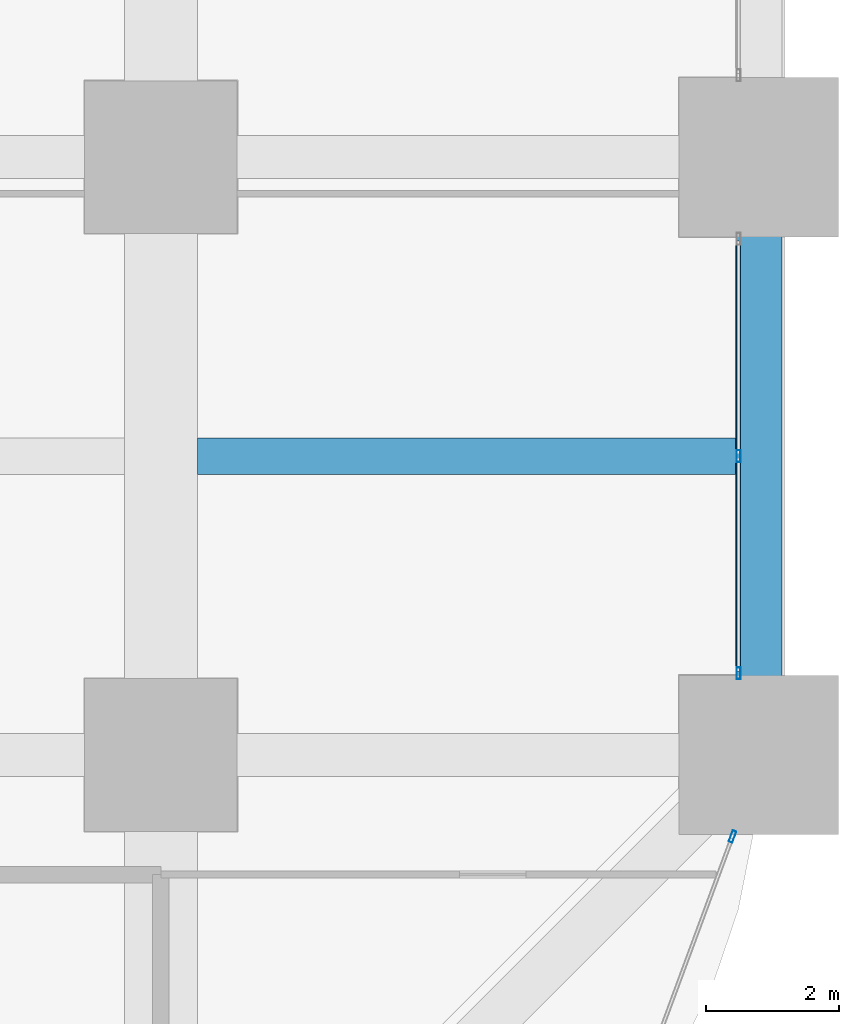
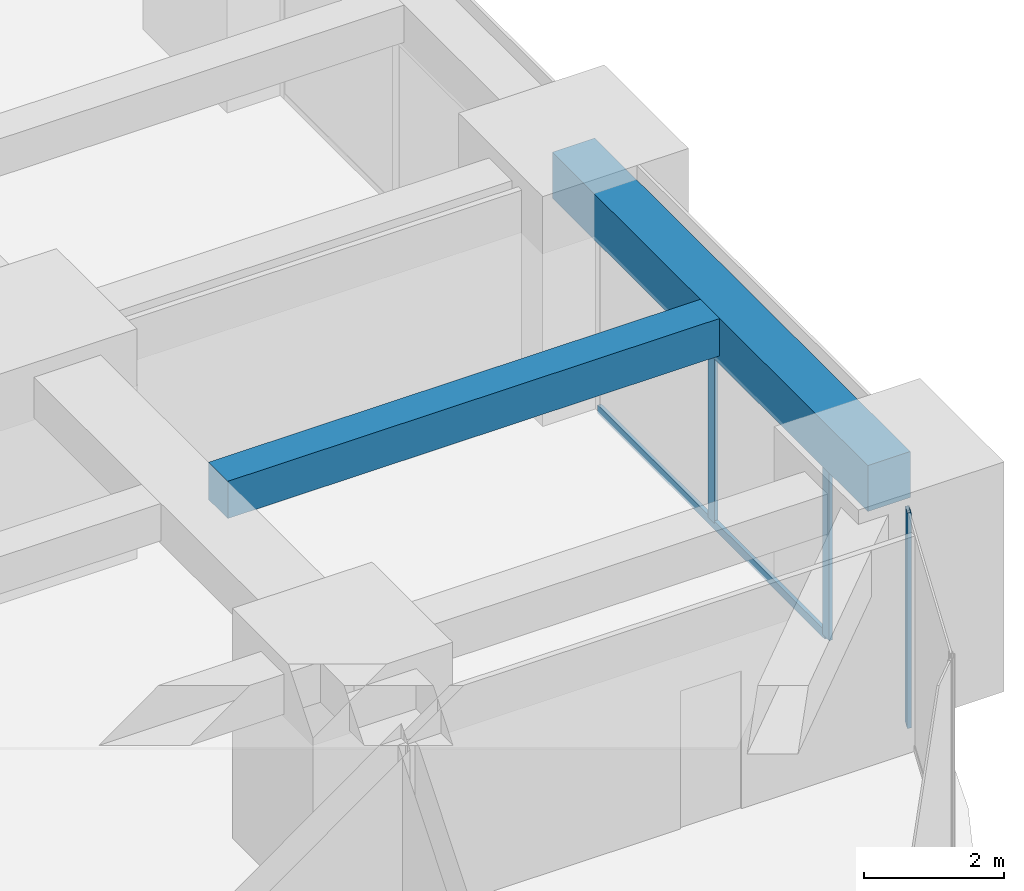
# One storey, part 18 of 44: 4 members, 2 beams, 2 elements without a shape of their own.
"""IFC4 building model written with IfcOpenShell, lengths in metres."""

from ifc_helpers import new_model, si_unit, direction, frame, origin, origin_2d, place, context, subcontext, project, spatial, rectangle, hollow_rectangle, extrude, material, material_profile, profile_set, type_object, element, aggregate, save


model = new_model("IFC4")

# Units and contexts
model_context = context("Model", 3, precision=1e-05, world=origin(), true_north=direction((0.0, 1.0)))
body_context = subcontext(model_context, "Body", "Model", "MODEL_VIEW")
ifc_project = project(units=[si_unit("LENGTHUNIT", "METRE"), si_unit("AREAUNIT", "SQUARE_METRE"), si_unit("VOLUMEUNIT", "CUBIC_METRE"), si_unit("PLANEANGLEUNIT", "RADIAN"), si_unit("MASSUNIT", "GRAM", prefix="KILO")], contexts=[model_context])

# Site, building, storey
site_placement = place(None, origin())
site = spatial("IfcSite", under=ifc_project, at=site_placement, CompositionType="ELEMENT")
building_placement = place(site_placement, origin())
building = spatial("IfcBuilding", under=site, at=building_placement, Name="Zorevar Civic Tower", CompositionType="ELEMENT")
storey_placement = place(building_placement, frame((0.0, 0.0, 35.800048828125)))
storey = spatial("IfcBuildingStorey", under=building, at=storey_placement, Name="L08", CompositionType="ELEMENT", Elevation=35.800048828125)

# Beam
ifc_material_1 = material(Name="Concrete C50/60", Category="concrete")
ifc_material_profile_1 = material_profile(ifc_material_1, rectangle(XDim=0.550048828125, YDim=0.64990234375, at=origin_2d()), Name="RC 550x650")
ifc_profile_set_1 = profile_set([ifc_material_profile_1], Name="Concrete C50/60")
beam_type_1 = type_object("IfcBeamType", Name="Beam RC 550x650", PredefinedType="BEAM", material=ifc_profile_set_1)
beam_1_placement = place(storey_placement, frame((54.550048828125, 13.5, 3.425048828125), z_axis=(1.0, 0.0, 0.0), x_axis=(0.0, 1.0, 0.0)))
element("IfcBeam", 1, at=beam_1_placement, inside=storey, type_object=beam_type_1, Name="Secondary beam L09", PredefinedType="BEAM", context=body_context, shape_type="SweptSolid", body=[
    extrude(rectangle(XDim=0.550048828125, YDim=0.64990234375, at=origin_2d()), origin(), (0.0, 0.0, 1.0), 8.099853515625),
])

# Curtain wall, members
ifc_material_2 = material(Name="Dark grey solar-control glass in black aluminium frame", Category="aluminium")
curtain_wall_type = type_object("IfcCurtainWallType", Name="Curtain wall CW2 low zone", PredefinedType="NOTDEFINED", material=ifc_material_2)
curtain_wall_1_placement = place(storey_placement, origin())
curtain_wall_1 = element("IfcCurtainWall", 2, at=curtain_wall_1_placement, inside=storey, type_object=curtain_wall_type, Name="CW2 L08", PredefinedType="NOTDEFINED")
ifc_material_3 = material(Name="Aluminium, black anodised", Category="aluminium")
ifc_material_profile_2 = material_profile(ifc_material_3, hollow_rectangle(XDim=0.06005859375, YDim=0.179931640625, WallThickness=0.00390625, at=origin_2d()), Name="AL 180x60x4")
ifc_profile_set_2 = profile_set([ifc_material_profile_2], Name="Aluminium, black anodised")
member_type_1 = type_object("IfcMemberType", Name="CW2 mullion AL 180x60x4", PredefinedType="MULLION", material=ifc_profile_set_2)
member_1_placement = place(storey_placement, frame((62.699951171875, 10.22998046875, 0.0), z_axis=(0.0, 0.0, 1.0), x_axis=(-1.0, 0.0, 0.0)))
member_1 = element("IfcMember", 3, at=member_1_placement, type_object=member_type_1, Name="CW2 mullion 1", PredefinedType="MULLION", context=body_context, shape_type="SweptSolid", body=[
    extrude(hollow_rectangle(XDim=0.06005859375, YDim=0.179931640625, WallThickness=0.00390625, at=origin_2d()), origin(), (0.0, 0.0, 1.0), 2.949951171875),
])
member_2_placement = place(storey_placement, frame((62.699951171875, 13.5, 0.06005859375), z_axis=(0.0, 0.0, 1.0), x_axis=(-1.0, 0.0, 0.0)))
member_2 = element("IfcMember", 4, at=member_2_placement, type_object=member_type_1, Name="CW2 mullion 2", PredefinedType="MULLION", context=body_context, shape_type="SweptSolid", body=[
    extrude(hollow_rectangle(XDim=0.06005859375, YDim=0.179931640625, WallThickness=0.00390625, at=origin_2d()), origin(), (0.0, 0.0, 1.0), 2.889892578125),
])

# Curtain wall, member
curtain_wall_2_placement = place(storey_placement, origin())
curtain_wall_2 = element("IfcCurtainWall", 5, at=curtain_wall_2_placement, inside=storey, type_object=curtain_wall_type, Name="CW2 L08", PredefinedType="NOTDEFINED")
member_3_placement = place(storey_placement, frame((62.6064453125, 7.77197265625, 0.0), z_axis=(0.0, 0.0, 1.0), x_axis=(-0.937974588163, 0.346704012033, 0.0)))
member_3 = element("IfcMember", 6, at=member_3_placement, type_object=member_type_1, Name="CW2 mullion 2", PredefinedType="MULLION", context=body_context, shape_type="SweptSolid", body=[
    extrude(hollow_rectangle(XDim=0.06005859375, YDim=0.179931640625, WallThickness=0.00390625, at=origin_2d()), origin(), (0.0, 0.0, 1.0), 3.75),
])
aggregate(curtain_wall_2, [member_3])

# Member
ifc_material_4 = material(Name="Aluminium, black anodised", Category="aluminium")
ifc_material_profile_3 = material_profile(ifc_material_4, hollow_rectangle(XDim=0.06005859375, YDim=0.14990234375, WallThickness=0.00390625, at=origin_2d()), Name="AL 150x60x4")
ifc_profile_set_3 = profile_set([ifc_material_profile_3], Name="Aluminium, black anodised")
member_type_2 = type_object("IfcMemberType", Name="CW2 transom AL 150x60x4", PredefinedType="USERDEFINED", material=ifc_profile_set_3)
member_4_placement = place(storey_placement, frame((62.699951171875, 10.260009765625, 0.030029296875), z_axis=(0.0, 1.0, 0.0), x_axis=(-1.0, 0.0, 0.0)))
member_4 = element("IfcMember", 7, at=member_4_placement, type_object=member_type_2, Name="CW2 sill transom", ObjectType="TRANSOM", PredefinedType="USERDEFINED", context=body_context, shape_type="SweptSolid", body=[
    extrude(hollow_rectangle(XDim=0.06005859375, YDim=0.14990234375, WallThickness=0.00390625, at=origin_2d()), origin(), (0.0, 0.0, 1.0), 6.47998046875),
])

aggregate(curtain_wall_1, [member_1, member_2, member_4])

# Beam
ifc_material_5 = material(Name="Concrete C50/60", Category="concrete")
ifc_material_profile_4 = material_profile(ifc_material_5, rectangle(XDim=0.699951171875, YDim=0.800048828125, at=origin_2d()), Name="RC 700x800")
ifc_profile_set_4 = profile_set([ifc_material_profile_4], Name="Concrete C50/60")
beam_type_2 = type_object("IfcBeamType", Name="Edge beam RC 700x800", PredefinedType="SPANDREL", material=ifc_profile_set_4)
beam_2_placement = place(storey_placement, frame((63.0, 9.0, 3.349853515625), z_axis=(0.0, 1.0, 0.0), x_axis=(-1.0, 0.0, 0.0)))
element("IfcBeam", 8, at=beam_2_placement, inside=storey, type_object=beam_type_2, Name="Edge beam L09", PredefinedType="SPANDREL", context=body_context, shape_type="SweptSolid", body=[
    extrude(rectangle(XDim=0.699951171875, YDim=0.800048828125, at=origin_2d()), origin(), (0.0, 0.0, 1.0), 9.0),
])

save(model, "model.ifc")
